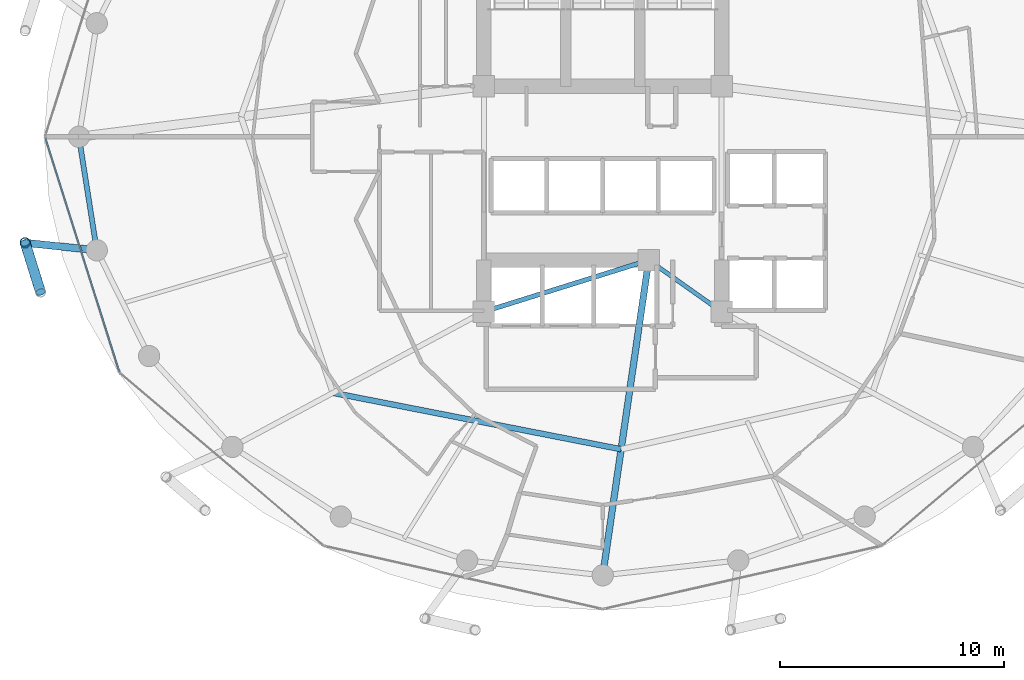
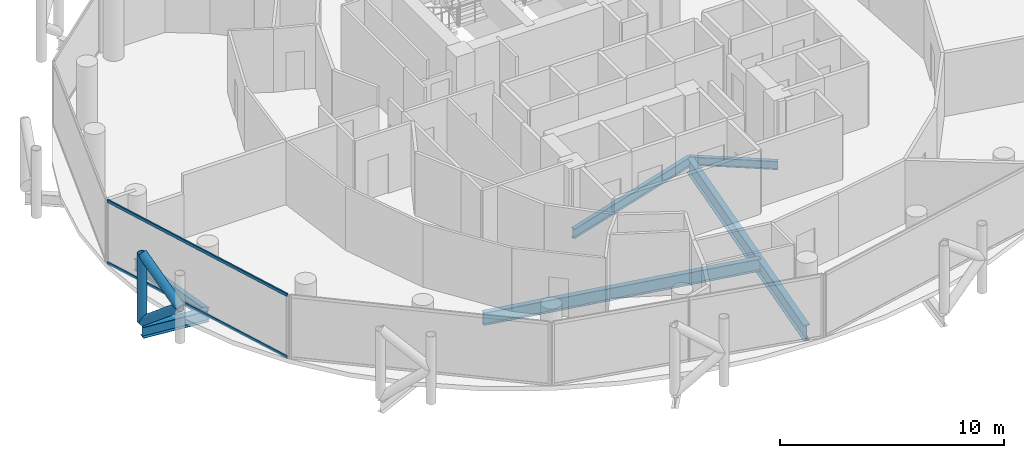
# One storey, part 5 of 26: 6 beams, 5 members, 1 element without a shape of its own.
"""IFC4 building model written with IfcOpenShell, lengths in metres."""

from ifc_helpers import new_model, si_unit, direction, frame, origin, origin_2d, place, context, subcontext, project, spatial, hollow_rectangle, hollow_circle, i_section, extrude, material, layer, layer_set, material_profile, profile_set, type_object, element, aggregate, save


model = new_model("IFC4")

# Units and contexts
model_context = context("Model", 3, precision=1e-05, world=origin(), true_north=direction((0.0, 1.0)))
body_context = subcontext(model_context, "Body", "Model", "MODEL_VIEW")
ifc_project = project(units=[si_unit("LENGTHUNIT", "METRE"), si_unit("AREAUNIT", "SQUARE_METRE"), si_unit("VOLUMEUNIT", "CUBIC_METRE"), si_unit("PLANEANGLEUNIT", "RADIAN"), si_unit("MASSUNIT", "GRAM", prefix="KILO")], contexts=[model_context])

# Site, building, storey
site_placement = place(None, origin())
site = spatial("IfcSite", under=ifc_project, at=site_placement, CompositionType="ELEMENT")
building_placement = place(site_placement, origin())
building = spatial("IfcBuilding", under=site, at=building_placement, Name="Nuhasar Tower", CompositionType="ELEMENT")
storey_placement = place(building_placement, frame((0.0, 0.0, 177.449951171875)))
storey = spatial("IfcBuildingStorey", under=building, at=storey_placement, Name="L43", CompositionType="ELEMENT", Elevation=177.449951171875)

# Beams
ifc_material_1 = material(Name="Steel S355", Category="steel")
ifc_material_profile_1 = material_profile(ifc_material_1, i_section(OverallWidth=0.25390625, OverallDepth=0.68408203125, WebThickness=0.012451171875, FlangeThickness=0.018798828125, at=origin_2d()), Name="W27X94")
ifc_profile_set_1 = profile_set([ifc_material_profile_1], Name="Steel S355")
beam_type_1 = type_object("IfcBeamType", Name="BM-INRING-W27X94", PredefinedType="BEAM", material=ifc_profile_set_1)
beam_1_placement = place(storey_placement, frame((26.972900390625, 15.385986328125, -0.592041015625), z_axis=(0.981359637088, -0.192180286956, 0.0), x_axis=(0.192180286956, 0.981359637088, 0.0)))
element("IfcBeam", 1, at=beam_1_placement, inside=storey, type_object=beam_type_1, Name="L43 Inner Header Beam 01", PredefinedType="BEAM", context=body_context, shape_type="SweptSolid", body=[
    extrude(i_section(OverallWidth=0.25390625, OverallDepth=0.68408203125, WebThickness=0.012451171875, FlangeThickness=0.018798828125, at=origin_2d()), origin(), (0.0, 0.0, 1.0), 13.09130859375),
])
ifc_material_profile_2 = material_profile(ifc_material_1, i_section(OverallWidth=0.2919921875, OverallDepth=0.85888671875, WebThickness=0.01708984375, FlangeThickness=0.031005859375, at=origin_2d()), Name="W33X169")
ifc_profile_set_2 = profile_set([ifc_material_profile_2], Name="Steel S355")
beam_type_2 = type_object("IfcBeamType", Name="BM-POD-W33X169", PredefinedType="BEAM", material=ifc_profile_set_2)
beam_2_placement = place(storey_placement, frame((41.050048828125, 21.300048828125, -0.679931640625), z_axis=(-0.144381604017, -0.989522082837, 0.0), x_axis=(0.989522082837, -0.144381604017, 0.0)))
element("IfcBeam", 2, at=beam_2_placement, inside=storey, type_object=beam_type_2, Name="L43 Radial Floor Girder 02", PredefinedType="BEAM", context=body_context, shape_type="SweptSolid", body=[
    extrude(i_section(OverallWidth=0.2919921875, OverallDepth=0.85888671875, WebThickness=0.01708984375, FlangeThickness=0.031005859375, at=origin_2d()), origin(), (0.0, 0.0, 1.0), 14.19873046875),
])
ifc_material_profile_3 = material_profile(ifc_material_1, i_section(OverallWidth=0.18994140625, OverallDepth=0.45703125, WebThickness=0.009033203125, FlangeThickness=0.014404296875, at=origin_2d()), Name="W18X50")
ifc_profile_set_3 = profile_set([ifc_material_profile_3], Name="Steel S355")
beam_type_3 = type_object("IfcBeamType", Name="BM-RAD-W18X50", PredefinedType="BEAM", material=ifc_profile_set_3)
beam_3_placement = place(storey_placement, frame((41.050048828125, 21.300048828125, -0.47900390625), z_axis=(0.816265428953, -0.577677028708, 0.0), x_axis=(0.577677028708, 0.816265428953, 0.0)))
element("IfcBeam", 3, at=beam_3_placement, inside=storey, type_object=beam_type_3, Name="L43 Core Ring Girder 2", PredefinedType="BEAM", context=body_context, shape_type="SweptSolid", body=[
    extrude(i_section(OverallWidth=0.18994140625, OverallDepth=0.45703125, WebThickness=0.009033203125, FlangeThickness=0.014404296875, at=origin_2d()), origin(), (0.0, 0.0, 1.0), 3.9814453125),
])
ifc_material_profile_4 = material_profile(ifc_material_1, i_section(OverallWidth=0.208984375, OverallDepth=0.532958984375, WebThickness=0.01025390625, FlangeThickness=0.015625, at=origin_2d()), Name="W21X62")
ifc_profile_set_4 = profile_set([ifc_material_profile_4], Name="Steel S355")
beam_type_4 = type_object("IfcBeamType", Name="BM-RAD-W21X62", PredefinedType="BEAM", material=ifc_profile_set_4)
beam_4_placement = place(storey_placement, frame((33.699951171875, 19.0, -0.516845703125), z_axis=(0.954363709454, 0.298646798205, 0.0), x_axis=(-0.298646798205, 0.954363709454, 0.0)))
element("IfcBeam", 4, at=beam_4_placement, inside=storey, type_object=beam_type_4, Name="L43 Core Ring Girder 1", PredefinedType="BEAM", context=body_context, shape_type="SweptSolid", body=[
    extrude(i_section(OverallWidth=0.208984375, OverallDepth=0.532958984375, WebThickness=0.01025390625, FlangeThickness=0.015625, at=origin_2d()), origin(), (0.0, 0.0, 1.0), 7.70166015625),
])
ifc_material_profile_5 = material_profile(ifc_material_1, i_section(OverallWidth=0.22998046875, OverallDepth=0.616943359375, WebThickness=0.01318359375, FlangeThickness=0.022216796875, at=origin_2d()), Name="W24X94")
ifc_profile_set_5 = profile_set([ifc_material_profile_5], Name="Steel S355")
beam_type_5 = type_object("IfcBeamType", Name="BM-RING-W24X94", PredefinedType="SPANDREL", material=ifc_profile_set_5)
beam_5_placement = place(storey_placement, frame((15.64990234375, 26.800048828125, -0.558837890625), z_axis=(0.155426543608, -0.987847452566, 0.0), x_axis=(0.987847452566, 0.155426543608, 0.0)))
element("IfcBeam", 5, at=beam_5_placement, inside=storey, type_object=beam_type_5, Name="L43 Perimeter Ring Spandrel 13", PredefinedType="SPANDREL", context=body_context, shape_type="SweptSolid", body=[
    extrude(i_section(OverallWidth=0.22998046875, OverallDepth=0.616943359375, WebThickness=0.01318359375, FlangeThickness=0.022216796875, at=origin_2d()), origin(), (0.0, 0.0, 1.0), 5.122314453125),
])
ifc_material_profile_6 = material_profile(ifc_material_1, i_section(OverallWidth=0.323974609375, OverallDepth=0.611083984375, WebThickness=0.0126953125, FlangeThickness=0.01904296875, at=origin_2d()), Name="W24X104")
ifc_profile_set_6 = profile_set([ifc_material_profile_6], Name="Steel S355")
beam_type_6 = type_object("IfcBeamType", Name="BM-TIE-W24X104", PredefinedType="BEAM", material=ifc_profile_set_6)
beam_6_placement = place(storey_placement, frame((16.446044921875, 21.739990234375, -0.555908203125), z_axis=(-0.994577694483, 0.103996200111, 0.0), x_axis=(-0.103996200111, -0.994577694483, 0.0)))
element("IfcBeam", 6, at=beam_6_placement, inside=storey, type_object=beam_type_6, Name="L43 Exoskeleton Node Tie Beam 07", PredefinedType="BEAM", context=body_context, shape_type="SweptSolid", body=[
    extrude(i_section(OverallWidth=0.323974609375, OverallDepth=0.611083984375, WebThickness=0.0126953125, FlangeThickness=0.01904296875, at=origin_2d()), origin(), (0.0, 0.0, 1.0), 3.21142578125),
])

# Curtain wall, members
ifc_material_2 = material(Name="Aluminium 6063-T6", Category="aluminium")
ifc_layer = layer(ifc_material_2, 0.199951171875)
ifc_layer_set = layer_set([ifc_layer], Name="Aluminium 6063-T6")
curtain_wall_type = type_object("IfcCurtainWallType", Name="CW-Z2-HTL", PredefinedType="NOTDEFINED", material=ifc_layer_set)
curtain_wall_placement = place(storey_placement, origin())
curtain_wall = element("IfcCurtainWall", 7, at=curtain_wall_placement, inside=storey, type_object=curtain_wall_type, Name="L43 Unitised Curtain Wall 07", PredefinedType="NOTDEFINED")
ifc_material_profile_7 = material_profile(ifc_material_2, hollow_rectangle(XDim=0.070068359375, YDim=0.159912109375, WallThickness=0.00439453125, at=origin_2d()), Name="CWT-3")
ifc_profile_set_7 = profile_set([ifc_material_profile_7], Name="Aluminium 6063-T6")
member_type_1 = type_object("IfcMemberType", Name="CW-TRN-S3", PredefinedType="USERDEFINED", material=ifc_profile_set_7)
member_1_placement = place(storey_placement, frame((14.1611328125, 26.733154296875, 0.03515625), z_axis=(0.301608163352, -0.953431967053, 0.0), x_axis=(0.953431967053, 0.301608163352, 0.0)))
member_1 = element("IfcMember", 8, at=member_1_placement, type_object=member_type_1, Name="CW-Z2 transom 1.1", ObjectType="TRANSOM", PredefinedType="USERDEFINED", context=body_context, shape_type="SweptSolid", body=[
    extrude(hollow_rectangle(XDim=0.070068359375, YDim=0.159912109375, WallThickness=0.00439453125, at=origin_2d()), origin(), (0.0, 0.0, 1.0), 10.904296875),
])
member_2_placement = place(storey_placement, frame((14.1611328125, 26.733154296875, 3.4150390625), z_axis=(0.301608163352, -0.953431967053, 0.0), x_axis=(0.953431967053, 0.301608163352, 0.0)))
member_2 = element("IfcMember", 9, at=member_2_placement, type_object=member_type_1, Name="CW-Z2 transom 1.2", ObjectType="TRANSOM", PredefinedType="USERDEFINED", context=body_context, shape_type="SweptSolid", body=[
    extrude(hollow_rectangle(XDim=0.070068359375, YDim=0.159912109375, WallThickness=0.00439453125, at=origin_2d()), origin(), (0.0, 0.0, 1.0), 10.904296875),
])
aggregate(curtain_wall, [member_1, member_2])

# Members
ifc_material_3 = material(Name="Steel S460", Category="steel")
ifc_material_profile_8 = material_profile(ifc_material_3, hollow_circle(Radius=0.228515625, WallThickness=0.022216796875, at=origin_2d()), Name="HSS457X22.2")
ifc_profile_set_8 = profile_set([ifc_material_profile_8], Name="Steel S460")
member_type_2 = type_object("IfcMemberType", Name="EXO-BRONZE-457", PredefinedType="BRACE", material=ifc_profile_set_8)
member_3_placement = place(storey_placement, frame((13.251953125, 22.073974609375, 0.0), z_axis=(0.0, 0.0, 1.0), x_axis=(1.0, 0.0, 0.0)))
element("IfcMember", 10, at=member_3_placement, inside=storey, type_object=member_type_2, Name="L43 Exoskeleton Chord Column EC-07A", PredefinedType="BRACE", context=body_context, shape_type="SweptSolid", body=[
    extrude(hollow_circle(Radius=0.228515625, WallThickness=0.022216796875, at=origin_2d()), origin(), (0.0, 0.0, 1.0), 3.699951171875),
])
member_4_placement = place(storey_placement, frame((13.251953125, 22.073974609375, 0.0), z_axis=(0.233055548538, -0.743577869731, 0.626719285599), x_axis=(0.954228474306, 0.29907861646, 0.0)))
element("IfcMember", 11, at=member_4_placement, inside=storey, type_object=member_type_2, Name="L43 Bronze Diagrid Brace W1-07", PredefinedType="BRACE", context=body_context, shape_type="SweptSolid", body=[
    extrude(hollow_circle(Radius=0.228515625, WallThickness=0.022216796875, at=origin_2d()), origin(), (0.0, 0.0, 1.0), 2.9521484375),
])
member_5_placement = place(storey_placement, frame((13.93994140625, 19.87890625, 1.85009765625), z_axis=(-0.233067628236, 0.74361641074, 0.626669062861), x_axis=(-0.954228474306, -0.29907861646, 0.0)))
element("IfcMember", 12, at=member_5_placement, inside=storey, type_object=member_type_2, Name="L43 Bronze Diagrid Brace W2-07", PredefinedType="BRACE", context=body_context, shape_type="SweptSolid", body=[
    extrude(hollow_circle(Radius=0.228515625, WallThickness=0.022216796875, at=origin_2d()), origin(), (0.0, 0.0, 1.0), 2.951904296875),
])

save(model, "model.ifc")
